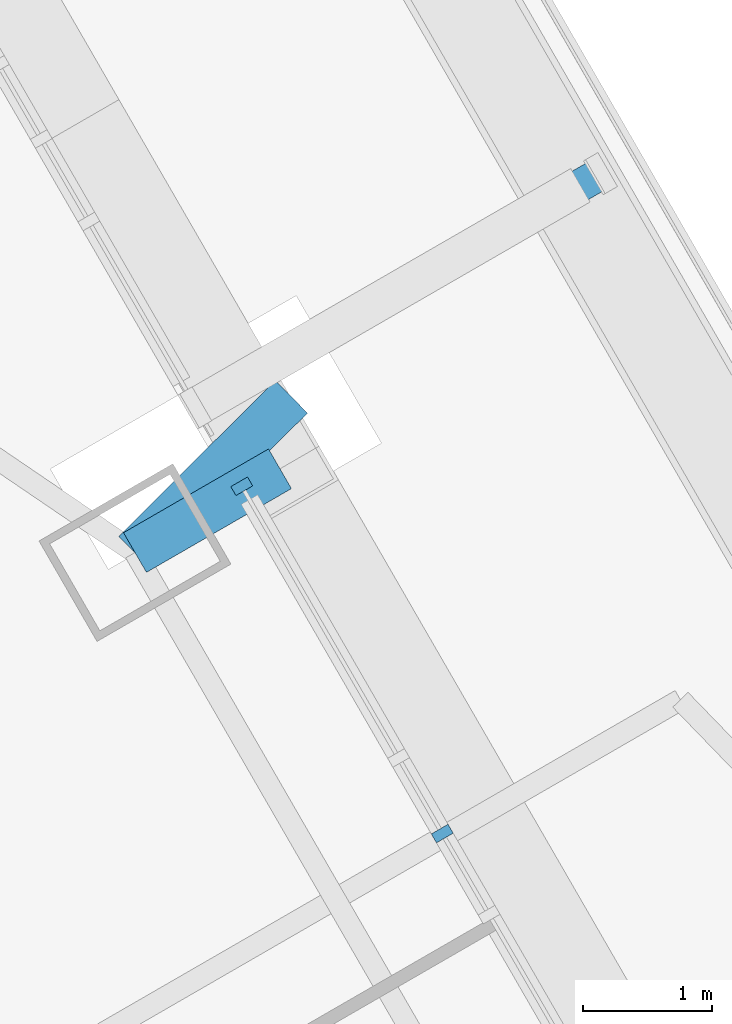
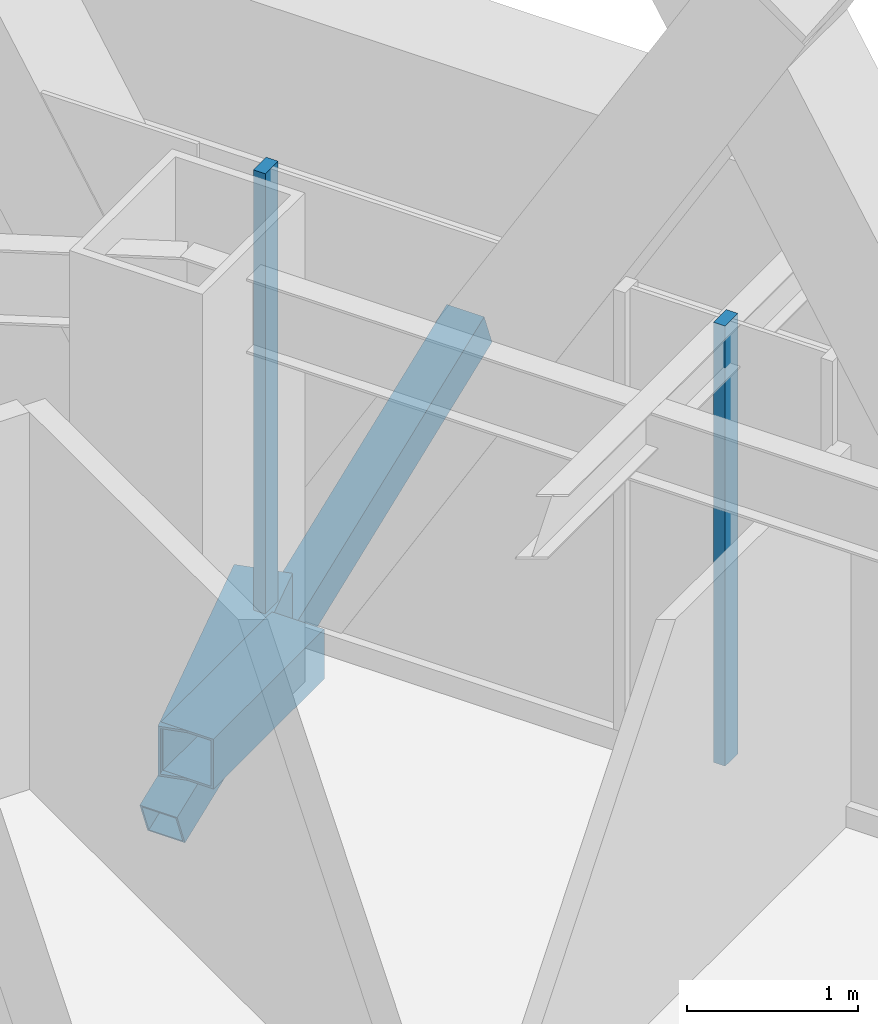
# One storey, part 8 of 23: 5 members, 1 element without a shape of its own.
"""IFC4 building model written with IfcOpenShell, lengths in metres."""

from ifc_helpers import new_model, si_unit, direction, frame, origin, origin_2d, place, context, subcontext, project, spatial, rectangle, hollow_rectangle, extrude, material, layer, layer_set, material_profile, profile_set, type_object, element, aggregate, save


model = new_model("IFC4")

# Units and contexts
model_context = context("Model", 3, precision=1e-05, world=origin(), true_north=direction((0.0, 1.0)))
body_context = subcontext(model_context, "Body", "Model", "MODEL_VIEW")
ifc_project = project(units=[si_unit("LENGTHUNIT", "METRE"), si_unit("AREAUNIT", "SQUARE_METRE"), si_unit("VOLUMEUNIT", "CUBIC_METRE"), si_unit("PLANEANGLEUNIT", "RADIAN"), si_unit("MASSUNIT", "GRAM", prefix="KILO")], contexts=[model_context])

# Site, building, storey
site_placement = place(None, origin())
site = spatial("IfcSite", under=ifc_project, at=site_placement, CompositionType="ELEMENT")
building_placement = place(site_placement, origin())
building = spatial("IfcBuilding", under=site, at=building_placement, Name="Firuza Gate Tower and Library", CompositionType="ELEMENT")
storey_placement = place(building_placement, frame((0.0, 0.0, 291.60009765625)))
storey = spatial("IfcBuildingStorey", under=building, at=storey_placement, Name="L70", CompositionType="ELEMENT", Elevation=291.60009765625)

# Curtain wall, members
ifc_material_1 = material(Name="Aluminium 6063-T6", Category="aluminium")
ifc_layer = layer(ifc_material_1, 0.14990234375)
ifc_layer_set = layer_set([ifc_layer], Name="Unitised curtain wall, residences")
curtain_wall_type = type_object("IfcCurtainWallType", Name="Unitised curtain wall, residences", PredefinedType="NOTDEFINED", material=ifc_layer_set)
curtain_wall_placement = place(storey_placement, origin())
curtain_wall = element("IfcCurtainWall", 1, at=curtain_wall_placement, inside=storey, type_object=curtain_wall_type, Name="CW3 L70 E face", PredefinedType="NOTDEFINED")
ifc_material_2 = material(Name="Aluminium 6063-T6", Category="aluminium")
ifc_material_profile_1 = material_profile(ifc_material_2, rectangle(XDim=0.14990234375, YDim=0.080078125, at=origin_2d()))
ifc_profile_set_1 = profile_set([ifc_material_profile_1], Name="Aluminium 6063-T6")
member_type_1 = type_object("IfcMemberType", Name="Curtain wall mullion 80x150", PredefinedType="MULLION", material=ifc_profile_set_1)
member_1_placement = place(storey_placement, frame((83.3125, 94.177001953125, 0.14990234375), z_axis=(0.0, 0.0, 1.0), x_axis=(-0.866025403784, -0.5, 0.0)))
member_1 = element("IfcMember", 2, at=member_1_placement, type_object=member_type_1, Name="Mullion", PredefinedType="MULLION", context=body_context, shape_type="SweptSolid", body=[
    extrude(rectangle(XDim=0.14990234375, YDim=0.080078125, at=origin_2d()), origin(), (0.0, 0.0, 1.0), 3.14990234375),
])
member_2_placement = place(storey_placement, frame((81.756103515625, 96.872802734375, 0.14990234375), z_axis=(0.0, 0.0, 1.0), x_axis=(-0.866025403784, -0.5, 0.0)))
member_2 = element("IfcMember", 3, at=member_2_placement, type_object=member_type_1, Name="Mullion", PredefinedType="MULLION", context=body_context, shape_type="SweptSolid", body=[
    extrude(rectangle(XDim=0.14990234375, YDim=0.080078125, at=origin_2d()), origin(), (0.0, 0.0, 1.0), 3.14990234375),
])
aggregate(curtain_wall, [member_1, member_2])

# Members
ifc_material_3 = material(Name="Steel S355", Category="steel")
ifc_material_profile_2 = material_profile(ifc_material_3, hollow_rectangle(XDim=0.25390625, YDim=0.25390625, WallThickness=0.01171875, at=origin_2d()))
ifc_profile_set_2 = profile_set([ifc_material_profile_2], Name="Steel S355")
member_type_2 = type_object("IfcMemberType", Name="HSS254x254x13 Tray strut", PredefinedType="BRACE", material=ifc_profile_set_2)
member_3_placement = place(storey_placement, frame((81.415283203125, 97.49462890625, -1.670166015625), z_axis=(0.807122458648, 0.466007352202, 0.362478253747), x_axis=(-0.500012057535, 0.866018442252, 0.0)))
element("IfcMember", 4, at=member_3_placement, inside=storey, type_object=member_type_2, Name="Tray strut L70 col:L69:E6", PredefinedType="BRACE", context=body_context, shape_type="SweptSolid", body=[
    extrude(hollow_rectangle(XDim=0.25390625, YDim=0.25390625, WallThickness=0.01171875, at=origin_2d()), origin(), (0.0, 0.0, 1.0), 3.86279296875),
])
ifc_material_4 = material(Name="Steel S355", Category="steel")
ifc_material_profile_3 = material_profile(ifc_material_4, hollow_rectangle(XDim=0.355712890625, YDim=0.355712890625, WallThickness=0.014892578125, at=origin_2d()))
ifc_profile_set_3 = profile_set([ifc_material_profile_3], Name="Steel S355")
member_type_3 = type_object("IfcMemberType", Name="HSS356x356x16 Lattice node tie", PredefinedType="BRACE", material=ifc_profile_set_3)
member_4_placement = place(storey_placement, frame((80.92724609375, 96.3583984375, -0.320068359375), z_axis=(0.708530386236, 0.705680304232, 0.0), x_axis=(-0.705680304232, 0.708530386236, 0.0)))
element("IfcMember", 5, at=member_4_placement, inside=storey, type_object=member_type_3, Name="Lattice node tie E L70 465", PredefinedType="BRACE", context=body_context, shape_type="SweptSolid", body=[
    extrude(hollow_rectangle(XDim=0.355712890625, YDim=0.355712890625, WallThickness=0.014892578125, at=origin_2d()), origin(), (0.0, 0.0, 1.0), 1.713134765625),
])
member_5_placement = place(storey_placement, frame((80.92724609375, 96.3583984375, -0.320068359375), z_axis=(0.86595725628, 0.500118016368, 0.0), x_axis=(-0.500118016368, 0.86595725628, 0.0)))
element("IfcMember", 6, at=member_5_placement, inside=storey, type_object=member_type_3, Name="Lattice node tie E L70 466", PredefinedType="BRACE", context=body_context, shape_type="SweptSolid", body=[
    extrude(hollow_rectangle(XDim=0.355712890625, YDim=0.355712890625, WallThickness=0.014892578125, at=origin_2d()), origin(), (0.0, 0.0, 1.0), 1.300048828125),
])

save(model, "model.ifc")
